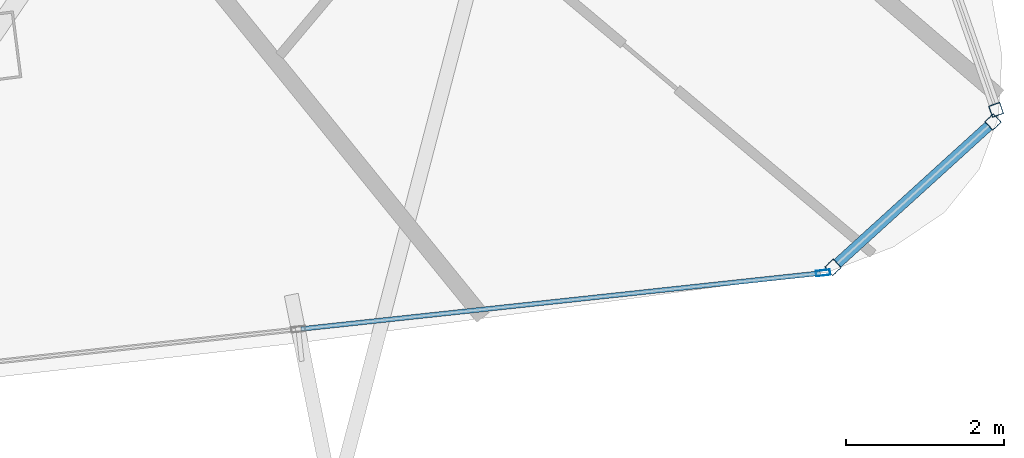
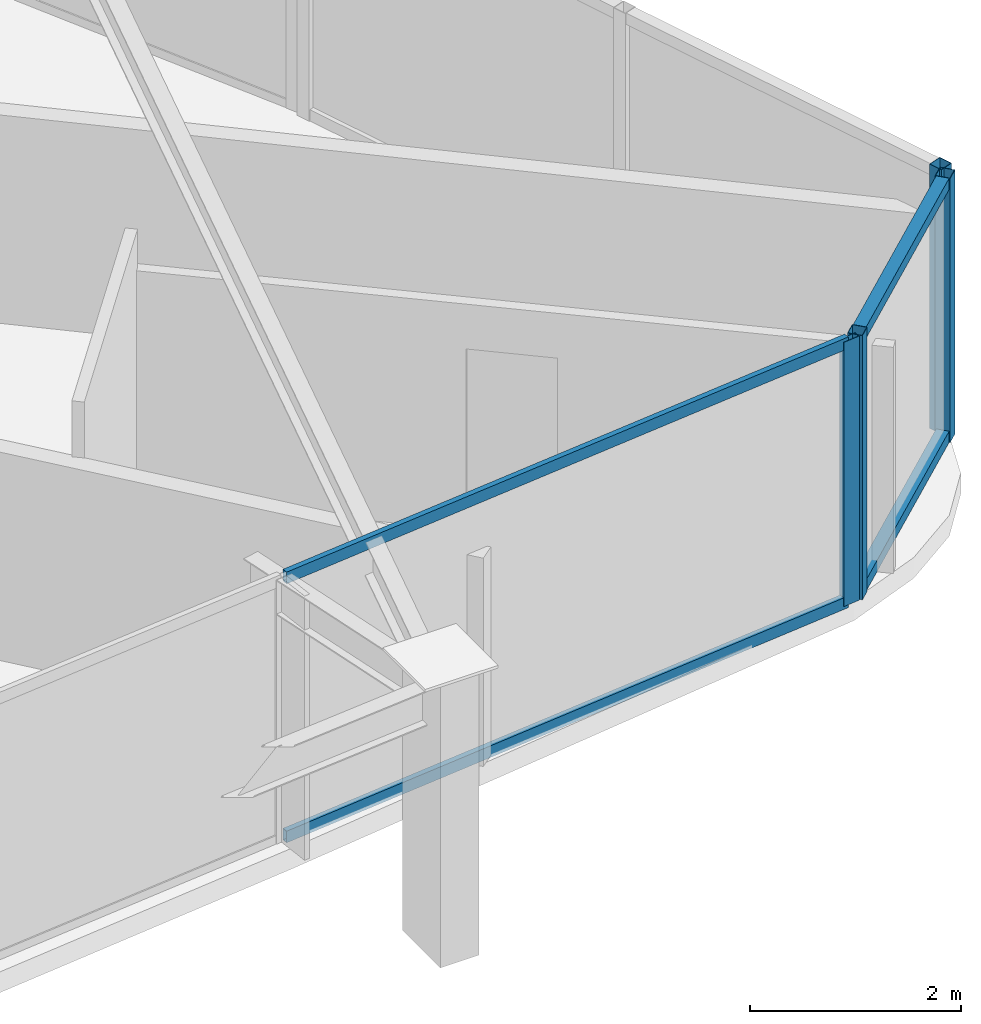
# One storey, part 14 of 35: 8 members, 3 elements without a shape of their own.
"""IFC4 building model written with IfcOpenShell, lengths in metres."""

from ifc_helpers import new_model, si_unit, direction, frame, origin, origin_2d, place, context, subcontext, project, spatial, hollow_rectangle, extrude, material, layer, layer_set, material_profile, profile_set, type_object, element, aggregate, save


model = new_model("IFC4")

# Units and contexts
model_context = context("Model", 3, precision=1e-05, world=origin(), true_north=direction((0.0, 1.0)))
body_context = subcontext(model_context, "Body", "Model", "MODEL_VIEW")
ifc_project = project(units=[si_unit("LENGTHUNIT", "METRE"), si_unit("AREAUNIT", "SQUARE_METRE"), si_unit("VOLUMEUNIT", "CUBIC_METRE"), si_unit("PLANEANGLEUNIT", "RADIAN"), si_unit("MASSUNIT", "GRAM", prefix="KILO")], contexts=[model_context])

# Site, building, storey
site_placement = place(None, origin())
site = spatial("IfcSite", under=ifc_project, at=site_placement, CompositionType="ELEMENT")
building_placement = place(site_placement, origin())
building = spatial("IfcBuilding", under=site, at=building_placement, Name="Orvanel Arch Residences", CompositionType="ELEMENT")
storey_placement = place(building_placement, frame((0.0, 0.0, 40.10009765625)))
storey = spatial("IfcBuildingStorey", under=building, at=storey_placement, Name="L10", CompositionType="ELEMENT", Elevation=40.10009765625)

# Curtain wall, members
ifc_material = material(Name="Bronze-anodised aluminium AA6063-T6", Category="aluminium")
ifc_layer_1 = layer(ifc_material, 0.18994140625)
ifc_layer_set_1 = layer_set([ifc_layer_1], Name="Bronze-anodised aluminium AA6063-T6")
curtain_wall_type_1 = type_object("IfcCurtainWallType", Name="CW5-CRN-SYS", PredefinedType="NOTDEFINED", material=ifc_layer_set_1)
curtain_wall_1_placement = place(storey_placement, origin())
curtain_wall_1 = element("IfcCurtainWall", 1, at=curtain_wall_1_placement, inside=storey, type_object=curtain_wall_type_1, Name="L10 CW5-CRN-SYS Unitised Curtain Wall", PredefinedType="NOTDEFINED")
ifc_material_profile_1 = material_profile(ifc_material, hollow_rectangle(XDim=0.14990234375, YDim=0.14990234375, WallThickness=0.0048828125, at=origin_2d()), Name="ALU150x150x5")
ifc_profile_set_1 = profile_set([ifc_material_profile_1], Name="Bronze-anodised aluminium AA6063-T6")
member_type_1 = type_object("IfcMemberType", Name="MUL-150x150", PredefinedType="MULLION", material=ifc_profile_set_1)
member_1_placement = place(storey_placement, frame((59.781494140625, 3.573486328125, 0.0), z_axis=(0.0, 0.0, 1.0), x_axis=(-0.672465516, 0.740128454926, 0.0)))
member_1 = element("IfcMember", 2, at=member_1_placement, type_object=member_type_1, Name="CW-S5 mullion 1", PredefinedType="MULLION", context=body_context, shape_type="SweptSolid", body=[
    extrude(hollow_rectangle(XDim=0.14990234375, YDim=0.14990234375, WallThickness=0.0048828125, at=origin_2d()), origin(), (0.0, 0.0, 1.0), 3.059814453125),
])
member_2_placement = place(storey_placement, frame((61.803466796875, 5.41064453125, 0.0), z_axis=(0.0, 0.0, 1.0), x_axis=(-0.672465516, 0.740128454926, 0.0)))
member_2 = element("IfcMember", 3, at=member_2_placement, type_object=member_type_1, Name="CW-S5 mullion 2", PredefinedType="MULLION", context=body_context, shape_type="SweptSolid", body=[
    extrude(hollow_rectangle(XDim=0.14990234375, YDim=0.14990234375, WallThickness=0.0048828125, at=origin_2d()), origin(), (0.0, 0.0, 1.0), 3.059814453125),
])

# Curtain wall, member
curtain_wall_2_placement = place(storey_placement, origin())
curtain_wall_2 = element("IfcCurtainWall", 4, at=curtain_wall_2_placement, inside=storey, type_object=curtain_wall_type_1, Name="L10 CW5-CRN-SYS Unitised Curtain Wall", PredefinedType="NOTDEFINED")
member_3_placement = place(storey_placement, frame((61.84228515625, 5.563720703125, 0.0), z_axis=(0.0, 0.0, 1.0), x_axis=(-0.94424408755, -0.329246265169, 0.0)))
member_3 = element("IfcMember", 5, at=member_3_placement, type_object=member_type_1, Name="CW-S5 mullion 1", PredefinedType="MULLION", context=body_context, shape_type="SweptSolid", body=[
    extrude(hollow_rectangle(XDim=0.14990234375, YDim=0.14990234375, WallThickness=0.0048828125, at=origin_2d()), origin(), (0.0, 0.0, 1.0), 3.059814453125),
])
aggregate(curtain_wall_2, [member_3])

ifc_layer_2 = layer(ifc_material, 0.179931640625)
ifc_layer_set_2 = layer_set([ifc_layer_2], Name="Bronze-anodised aluminium AA6063-T6")
curtain_wall_type_2 = type_object("IfcCurtainWallType", Name="CW2-LOW-SYS", PredefinedType="NOTDEFINED", material=ifc_layer_set_2)
curtain_wall_3_placement = place(storey_placement, origin())
curtain_wall_3 = element("IfcCurtainWall", 6, at=curtain_wall_3_placement, inside=storey, type_object=curtain_wall_type_2, Name="L10 CW2-LOW-SYS Unitised Curtain Wall", PredefinedType="NOTDEFINED")
ifc_material_profile_2 = material_profile(ifc_material, hollow_rectangle(XDim=0.070068359375, YDim=0.179931640625, WallThickness=0.00439453125, at=origin_2d()), Name="ALU180x70x4.5")
ifc_profile_set_2 = profile_set([ifc_material_profile_2], Name="Bronze-anodised aluminium AA6063-T6")
member_type_2 = type_object("IfcMemberType", Name="MUL-180x70", PredefinedType="MULLION", material=ifc_profile_set_2)
member_4_placement = place(storey_placement, frame((59.65625, 3.504150390625, 0.0), z_axis=(0.0, 0.0, 1.0), x_axis=(-0.106921178668, 0.994267499998, 0.0)))
member_4 = element("IfcMember", 7, at=member_4_placement, type_object=member_type_2, Name="CW-S2 mullion 4", PredefinedType="MULLION", context=body_context, shape_type="SweptSolid", body=[
    extrude(hollow_rectangle(XDim=0.070068359375, YDim=0.179931640625, WallThickness=0.00439453125, at=origin_2d()), origin(), (0.0, 0.0, 1.0), 3.059814453125),
])

# Member
ifc_material_profile_3 = material_profile(ifc_material, hollow_rectangle(XDim=0.1298828125, YDim=0.1298828125, WallThickness=0.00439453125, at=origin_2d()), Name="ALU130x130x4.5")
ifc_profile_set_3 = profile_set([ifc_material_profile_3], Name="Bronze-anodised aluminium AA6063-T6")
member_type_3 = type_object("IfcMemberType", Name="TRN-130x130", PredefinedType="USERDEFINED", material=ifc_profile_set_3)
member_5_placement = place(storey_placement, frame((59.8369140625, 3.623779296875, 0.06494140625), z_axis=(0.7401453986, 0.672446866995, 0.0), x_axis=(-0.672446866995, 0.7401453986, 0.0)))
member_5 = element("IfcMember", 8, at=member_5_placement, type_object=member_type_3, Name="CW-S5 transom 1.1", ObjectType="TRANSOM", PredefinedType="USERDEFINED", context=body_context, shape_type="SweptSolid", body=[
    extrude(hollow_rectangle(XDim=0.1298828125, YDim=0.1298828125, WallThickness=0.00439453125, at=origin_2d()), origin(), (0.0, 0.0, 1.0), 2.58203125),
])

member_6_placement = place(storey_placement, frame((59.8369140625, 3.623779296875, 2.994873046875), z_axis=(0.7401453986, 0.672446866995, 0.0), x_axis=(-0.672446866995, 0.7401453986, 0.0)))
member_6 = element("IfcMember", 9, at=member_6_placement, type_object=member_type_3, Name="CW-S5 transom 1.2", ObjectType="TRANSOM", PredefinedType="USERDEFINED", context=body_context, shape_type="SweptSolid", body=[
    extrude(hollow_rectangle(XDim=0.1298828125, YDim=0.1298828125, WallThickness=0.00439453125, at=origin_2d()), origin(), (0.0, 0.0, 1.0), 2.58203125),
])

aggregate(curtain_wall_1, [member_1, member_2, member_5, member_6])

ifc_material_profile_4 = material_profile(ifc_material, hollow_rectangle(XDim=0.06005859375, YDim=0.135009765625, WallThickness=0.00390625, at=origin_2d()), Name="ALU135x60x4")
ifc_profile_set_4 = profile_set([ifc_material_profile_4], Name="Bronze-anodised aluminium AA6063-T6")
member_type_4 = type_object("IfcMemberType", Name="TRN-135x60", PredefinedType="USERDEFINED", material=ifc_profile_set_4)
member_7_placement = place(storey_placement, frame((53.0615234375, 2.795166015625, 0.02978515625), z_axis=(0.994269186717, 0.106905492591, 0.0), x_axis=(-0.106905492591, 0.994269186717, 0.0)))
member_7 = element("IfcMember", 10, at=member_7_placement, type_object=member_type_4, Name="CW-S2 transom 3.1", ObjectType="TRANSOM", PredefinedType="USERDEFINED", context=body_context, shape_type="SweptSolid", body=[
    extrude(hollow_rectangle(XDim=0.06005859375, YDim=0.135009765625, WallThickness=0.00390625, at=origin_2d()), origin(), (0.0, 0.0, 1.0), 6.59765625),
])

member_8_placement = place(storey_placement, frame((53.0615234375, 2.795166015625, 3.02978515625), z_axis=(0.994269186717, 0.106905492591, 0.0), x_axis=(-0.106905492591, 0.994269186717, 0.0)))
member_8 = element("IfcMember", 11, at=member_8_placement, type_object=member_type_4, Name="CW-S2 transom 3.2", ObjectType="TRANSOM", PredefinedType="USERDEFINED", context=body_context, shape_type="SweptSolid", body=[
    extrude(hollow_rectangle(XDim=0.06005859375, YDim=0.135009765625, WallThickness=0.00390625, at=origin_2d()), origin(), (0.0, 0.0, 1.0), 6.59765625),
])

aggregate(curtain_wall_3, [member_4, member_7, member_8])

save(model, "model.ifc")
